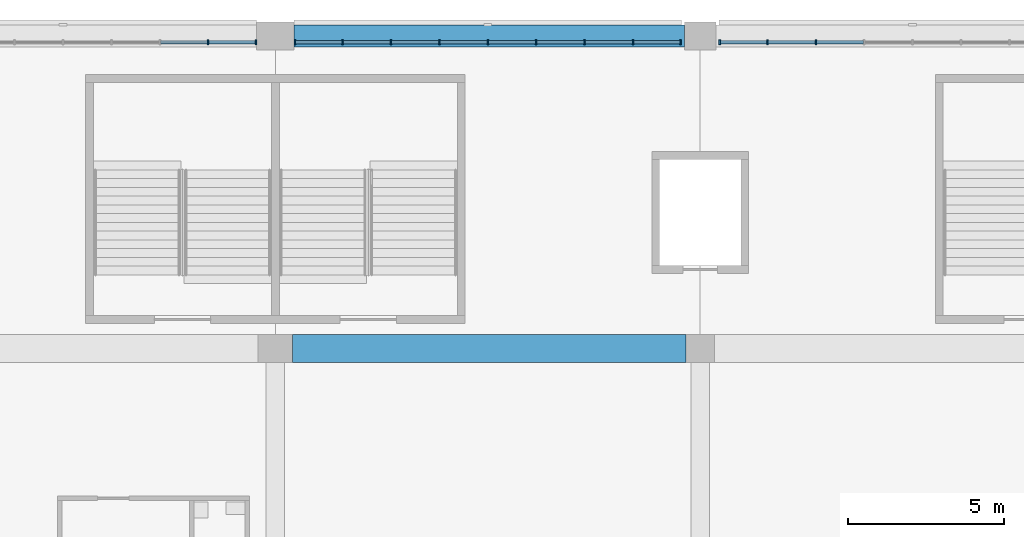
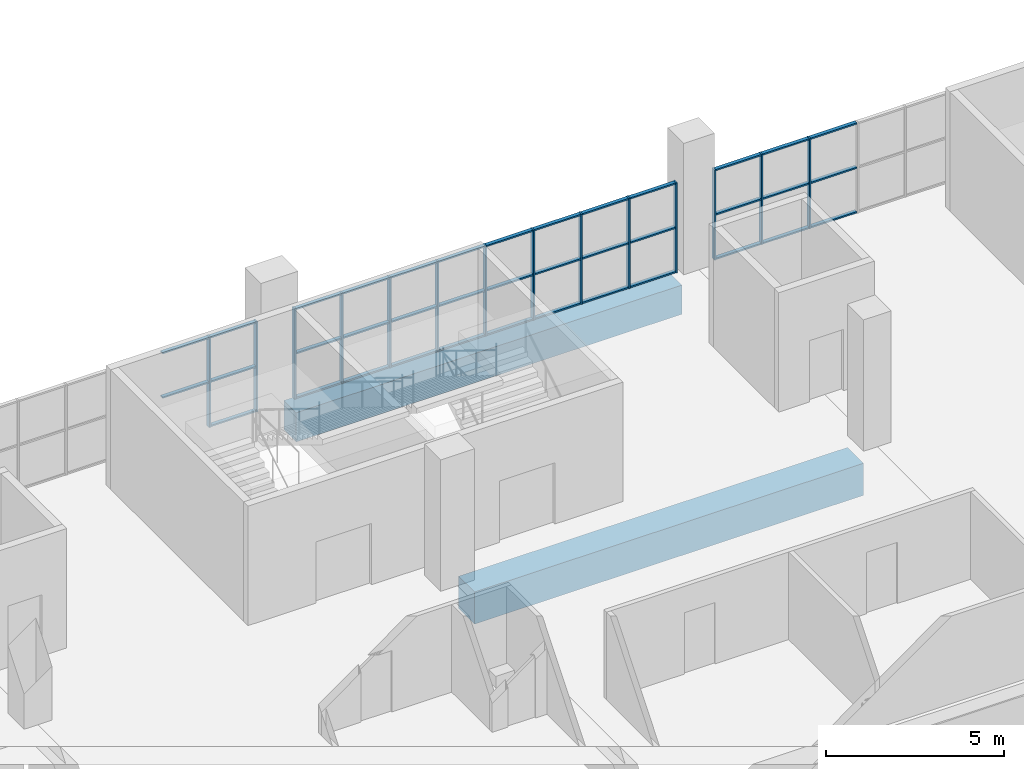
# One storey, part 44 of 199: 52 members, 2 beams, 3 elements without a shape of their own.
"""IFC4 building model written with IfcOpenShell, lengths in metres."""

from ifc_helpers import new_model, si_unit, direction, frame, origin, origin_2d, place, context, subcontext, project, spatial, rectangle, extrude, material, material_profile, profile_set, type_object, element, aggregate, save


model = new_model("IFC4")

# Units and contexts
model_context = context("Model", 3, precision=1e-05, world=origin(), true_north=direction((0.0, 1.0)))
body_context = subcontext(model_context, "Body", "Model", "MODEL_VIEW")
ifc_project = project(units=[si_unit("LENGTHUNIT", "METRE"), si_unit("AREAUNIT", "SQUARE_METRE"), si_unit("VOLUMEUNIT", "CUBIC_METRE"), si_unit("PLANEANGLEUNIT", "RADIAN"), si_unit("MASSUNIT", "GRAM", prefix="KILO")], contexts=[model_context])

# Site, building, storey
site_placement = place(None, origin())
site = spatial("IfcSite", under=ifc_project, at=site_placement, CompositionType="ELEMENT")
building_placement = place(site_placement, origin())
building = spatial("IfcBuilding", under=site, at=building_placement, Name="Ogive Plaza Stadium", CompositionType="ELEMENT")
storey_placement = place(building_placement, frame((0.0, 0.0, 9.0)))
storey = spatial("IfcBuildingStorey", under=building, at=storey_placement, Name="L02", CompositionType="ELEMENT", Elevation=9.0)

# Curtain wall, members
ifc_material_1 = material(Name="Bronze-anodised aluminium with laminated glass", Category="aluminium")
curtain_wall_type = type_object("IfcCurtainWallType", Name="Lancet curtain wall", PredefinedType="NOTDEFINED", material=ifc_material_1)
curtain_wall_1_placement = place(storey_placement, origin())
curtain_wall_1 = element("IfcCurtainWall", 1, at=curtain_wall_1_placement, inside=storey, type_object=curtain_wall_type, Name="CURTAIN WALL B33 L02", PredefinedType="NOTDEFINED")
ifc_material_2 = material(Name="Bronze-anodised aluminium", Category="aluminium")
ifc_material_profile_1 = material_profile(ifc_material_2, rectangle(XDim=0.14990234375, YDim=0.050048828125, at=origin_2d()), Name="AL 150x50")
ifc_profile_set_1 = profile_set([ifc_material_profile_1], Name="Bronze-anodised aluminium")
member_type_1 = type_object("IfcMemberType", Name="Curtain wall mullion 50x150", PredefinedType="MULLION", material=ifc_profile_set_1)
member_1_placement = place(storey_placement, frame((-8.949951171875, 102.300048828125, 0.0), z_axis=(0.0, 0.0, 1.0), x_axis=(0.0, 1.0, 0.0)))
member_1 = element("IfcMember", 2, at=member_1_placement, type_object=member_type_1, Name="CW-B33-L02 mullion 8", PredefinedType="MULLION", context=body_context, shape_type="SweptSolid", body=[
    extrude(rectangle(XDim=0.14990234375, YDim=0.050048828125, at=origin_2d()), origin(), (0.0, 0.0, 1.0), 3.090087890625),
])
member_2_placement = place(storey_placement, frame((-7.425048828125, 102.300048828125, 0.0), z_axis=(0.0, 0.0, 1.0), x_axis=(0.0, 1.0, 0.0)))
member_2 = element("IfcMember", 3, at=member_2_placement, type_object=member_type_1, Name="CW-B33-L02 mullion 9", PredefinedType="MULLION", context=body_context, shape_type="SweptSolid", body=[
    extrude(rectangle(XDim=0.14990234375, YDim=0.050048828125, at=origin_2d()), origin(), (0.0, 0.0, 1.0), 3.090087890625),
])

curtain_wall_2_placement = place(storey_placement, origin())
curtain_wall_2 = element("IfcCurtainWall", 4, at=curtain_wall_2_placement, inside=storey, type_object=curtain_wall_type, Name="CURTAIN WALL B34 L02", PredefinedType="NOTDEFINED")
member_3_placement = place(storey_placement, frame((-6.175048828125, 102.300048828125, 0.0), z_axis=(0.0, 0.0, 1.0), x_axis=(0.0, 1.0, 0.0)))
member_3 = element("IfcMember", 5, at=member_3_placement, type_object=member_type_1, Name="CW-B34-L02 mullion 1", PredefinedType="MULLION", context=body_context, shape_type="SweptSolid", body=[
    extrude(rectangle(XDim=0.14990234375, YDim=0.050048828125, at=origin_2d()), origin(), (0.0, 0.0, 1.0), 3.090087890625),
])
member_4_placement = place(storey_placement, frame((-4.64990234375, 102.300048828125, 0.0), z_axis=(0.0, 0.0, 1.0), x_axis=(0.0, 1.0, 0.0)))
member_4 = element("IfcMember", 6, at=member_4_placement, type_object=member_type_1, Name="CW-B34-L02 mullion 2", PredefinedType="MULLION", context=body_context, shape_type="SweptSolid", body=[
    extrude(rectangle(XDim=0.14990234375, YDim=0.050048828125, at=origin_2d()), origin(), (0.0, 0.0, 1.0), 3.090087890625),
])
member_5_placement = place(storey_placement, frame((-3.10009765625, 102.300048828125, 0.0), z_axis=(0.0, 0.0, 1.0), x_axis=(0.0, 1.0, 0.0)))
member_5 = element("IfcMember", 7, at=member_5_placement, type_object=member_type_1, Name="CW-B34-L02 mullion 3", PredefinedType="MULLION", context=body_context, shape_type="SweptSolid", body=[
    extrude(rectangle(XDim=0.14990234375, YDim=0.050048828125, at=origin_2d()), origin(), (0.0, 0.0, 1.0), 3.090087890625),
])
member_6_placement = place(storey_placement, frame((-1.550048828125, 102.300048828125, 0.0), z_axis=(0.0, 0.0, 1.0), x_axis=(0.0, 1.0, 0.0)))
member_6 = element("IfcMember", 8, at=member_6_placement, type_object=member_type_1, Name="CW-B34-L02 mullion 4", PredefinedType="MULLION", context=body_context, shape_type="SweptSolid", body=[
    extrude(rectangle(XDim=0.14990234375, YDim=0.050048828125, at=origin_2d()), origin(), (0.0, 0.0, 1.0), 3.090087890625),
])
member_7_placement = place(storey_placement, frame((0.0, 102.300048828125, 0.0), z_axis=(0.0, 0.0, 1.0), x_axis=(0.0, 1.0, 0.0)))
member_7 = element("IfcMember", 9, at=member_7_placement, type_object=member_type_1, Name="CW-B34-L02 mullion 5", PredefinedType="MULLION", context=body_context, shape_type="SweptSolid", body=[
    extrude(rectangle(XDim=0.14990234375, YDim=0.050048828125, at=origin_2d()), origin(), (0.0, 0.0, 1.0), 3.090087890625),
])
member_8_placement = place(storey_placement, frame((1.550048828125, 102.300048828125, 0.0), z_axis=(0.0, 0.0, 1.0), x_axis=(0.0, 1.0, 0.0)))
member_8 = element("IfcMember", 10, at=member_8_placement, type_object=member_type_1, Name="CW-B34-L02 mullion 6", PredefinedType="MULLION", context=body_context, shape_type="SweptSolid", body=[
    extrude(rectangle(XDim=0.14990234375, YDim=0.050048828125, at=origin_2d()), origin(), (0.0, 0.0, 1.0), 3.090087890625),
])
member_9_placement = place(storey_placement, frame((3.10009765625, 102.300048828125, 0.0), z_axis=(0.0, 0.0, 1.0), x_axis=(0.0, 1.0, 0.0)))
member_9 = element("IfcMember", 11, at=member_9_placement, type_object=member_type_1, Name="CW-B34-L02 mullion 7", PredefinedType="MULLION", context=body_context, shape_type="SweptSolid", body=[
    extrude(rectangle(XDim=0.14990234375, YDim=0.050048828125, at=origin_2d()), origin(), (0.0, 0.0, 1.0), 3.090087890625),
])
member_10_placement = place(storey_placement, frame((4.64990234375, 102.300048828125, 0.0), z_axis=(0.0, 0.0, 1.0), x_axis=(0.0, 1.0, 0.0)))
member_10 = element("IfcMember", 12, at=member_10_placement, type_object=member_type_1, Name="CW-B34-L02 mullion 8", PredefinedType="MULLION", context=body_context, shape_type="SweptSolid", body=[
    extrude(rectangle(XDim=0.14990234375, YDim=0.050048828125, at=origin_2d()), origin(), (0.0, 0.0, 1.0), 3.090087890625),
])
member_11_placement = place(storey_placement, frame((6.175048828125, 102.300048828125, 0.0), z_axis=(0.0, 0.0, 1.0), x_axis=(0.0, 1.0, 0.0)))
member_11 = element("IfcMember", 13, at=member_11_placement, type_object=member_type_1, Name="CW-B34-L02 mullion 9", PredefinedType="MULLION", context=body_context, shape_type="SweptSolid", body=[
    extrude(rectangle(XDim=0.14990234375, YDim=0.050048828125, at=origin_2d()), origin(), (0.0, 0.0, 1.0), 3.090087890625),
])

curtain_wall_3_placement = place(storey_placement, origin())
curtain_wall_3 = element("IfcCurtainWall", 14, at=curtain_wall_3_placement, inside=storey, type_object=curtain_wall_type, Name="CURTAIN WALL B35 L02", PredefinedType="NOTDEFINED")
member_12_placement = place(storey_placement, frame((7.425048828125, 102.300048828125, 0.0), z_axis=(0.0, 0.0, 1.0), x_axis=(0.0, 1.0, 0.0)))
member_12 = element("IfcMember", 15, at=member_12_placement, type_object=member_type_1, Name="CW-B35-L02 mullion 1", PredefinedType="MULLION", context=body_context, shape_type="SweptSolid", body=[
    extrude(rectangle(XDim=0.14990234375, YDim=0.050048828125, at=origin_2d()), origin(), (0.0, 0.0, 1.0), 3.090087890625),
])
member_13_placement = place(storey_placement, frame((8.949951171875, 102.300048828125, 0.0), z_axis=(0.0, 0.0, 1.0), x_axis=(0.0, 1.0, 0.0)))
member_13 = element("IfcMember", 16, at=member_13_placement, type_object=member_type_1, Name="CW-B35-L02 mullion 2", PredefinedType="MULLION", context=body_context, shape_type="SweptSolid", body=[
    extrude(rectangle(XDim=0.14990234375, YDim=0.050048828125, at=origin_2d()), origin(), (0.0, 0.0, 1.0), 3.090087890625),
])
member_14_placement = place(storey_placement, frame((10.5, 102.300048828125, 0.0), z_axis=(0.0, 0.0, 1.0), x_axis=(0.0, 1.0, 0.0)))
member_14 = element("IfcMember", 17, at=member_14_placement, type_object=member_type_1, Name="CW-B35-L02 mullion 3", PredefinedType="MULLION", context=body_context, shape_type="SweptSolid", body=[
    extrude(rectangle(XDim=0.14990234375, YDim=0.050048828125, at=origin_2d()), origin(), (0.0, 0.0, 1.0), 3.090087890625),
])

# Member
ifc_material_3 = material(Name="Bronze-anodised aluminium", Category="aluminium")
ifc_material_profile_2 = material_profile(ifc_material_3, rectangle(XDim=0.1201171875, YDim=0.050048828125, at=origin_2d()), Name="AL 120x50")
ifc_profile_set_2 = profile_set([ifc_material_profile_2], Name="Bronze-anodised aluminium")
member_type_2 = type_object("IfcMemberType", Name="Curtain wall transom 50x120", PredefinedType="USERDEFINED", material=ifc_profile_set_2)
member_15_placement = place(storey_placement, frame((-10.47509765625, 102.300048828125, 1.544921875), z_axis=(1.0, 0.0, 0.0), x_axis=(0.0, 1.0, 0.0)))
member_15 = element("IfcMember", 18, at=member_15_placement, type_object=member_type_2, Name="CW-B33-L02 transom 7.2", ObjectType="TRANSOM", PredefinedType="USERDEFINED", context=body_context, shape_type="SweptSolid", body=[
    extrude(rectangle(XDim=0.1201171875, YDim=0.050048828125, at=origin_2d()), origin(), (0.0, 0.0, 1.0), 1.5),
])

member_16_placement = place(storey_placement, frame((-10.47509765625, 102.300048828125, 3.06494140625), z_axis=(1.0, 0.0, 0.0), x_axis=(0.0, 1.0, 0.0)))
member_16 = element("IfcMember", 19, at=member_16_placement, type_object=member_type_2, Name="CW-B33-L02 transom 7.3", ObjectType="TRANSOM", PredefinedType="USERDEFINED", context=body_context, shape_type="SweptSolid", body=[
    extrude(rectangle(XDim=0.1201171875, YDim=0.050048828125, at=origin_2d()), origin(), (0.0, 0.0, 1.0), 1.5),
])

member_17_placement = place(storey_placement, frame((-8.925048828125, 102.300048828125, 0.02490234375), z_axis=(1.0, 0.0, 0.0), x_axis=(0.0, 1.0, 0.0)))
member_17 = element("IfcMember", 20, at=member_17_placement, type_object=member_type_2, Name="CW-B33-L02 transom 8.1", ObjectType="TRANSOM", PredefinedType="USERDEFINED", context=body_context, shape_type="SweptSolid", body=[
    extrude(rectangle(XDim=0.1201171875, YDim=0.050048828125, at=origin_2d()), origin(), (0.0, 0.0, 1.0), 1.47509765625),
])

member_18_placement = place(storey_placement, frame((-8.925048828125, 102.300048828125, 1.544921875), z_axis=(1.0, 0.0, 0.0), x_axis=(0.0, 1.0, 0.0)))
member_18 = element("IfcMember", 21, at=member_18_placement, type_object=member_type_2, Name="CW-B33-L02 transom 8.2", ObjectType="TRANSOM", PredefinedType="USERDEFINED", context=body_context, shape_type="SweptSolid", body=[
    extrude(rectangle(XDim=0.1201171875, YDim=0.050048828125, at=origin_2d()), origin(), (0.0, 0.0, 1.0), 1.47509765625),
])

member_19_placement = place(storey_placement, frame((-8.925048828125, 102.300048828125, 3.06494140625), z_axis=(1.0, 0.0, 0.0), x_axis=(0.0, 1.0, 0.0)))
member_19 = element("IfcMember", 22, at=member_19_placement, type_object=member_type_2, Name="CW-B33-L02 transom 8.3", ObjectType="TRANSOM", PredefinedType="USERDEFINED", context=body_context, shape_type="SweptSolid", body=[
    extrude(rectangle(XDim=0.1201171875, YDim=0.050048828125, at=origin_2d()), origin(), (0.0, 0.0, 1.0), 1.47509765625),
])

aggregate(curtain_wall_1, [member_1, member_2, member_15, member_16, member_17, member_18, member_19])

member_20_placement = place(storey_placement, frame((-6.14990234375, 102.300048828125, 0.02490234375), z_axis=(1.0, 0.0, 0.0), x_axis=(0.0, 1.0, 0.0)))
member_20 = element("IfcMember", 23, at=member_20_placement, type_object=member_type_2, Name="CW-B34-L02 transom 1.1", ObjectType="TRANSOM", PredefinedType="USERDEFINED", context=body_context, shape_type="SweptSolid", body=[
    extrude(rectangle(XDim=0.1201171875, YDim=0.050048828125, at=origin_2d()), origin(), (0.0, 0.0, 1.0), 1.474853515625),
])

member_21_placement = place(storey_placement, frame((-6.14990234375, 102.300048828125, 1.544921875), z_axis=(1.0, 0.0, 0.0), x_axis=(0.0, 1.0, 0.0)))
member_21 = element("IfcMember", 24, at=member_21_placement, type_object=member_type_2, Name="CW-B34-L02 transom 1.2", ObjectType="TRANSOM", PredefinedType="USERDEFINED", context=body_context, shape_type="SweptSolid", body=[
    extrude(rectangle(XDim=0.1201171875, YDim=0.050048828125, at=origin_2d()), origin(), (0.0, 0.0, 1.0), 1.474853515625),
])

member_22_placement = place(storey_placement, frame((-6.14990234375, 102.300048828125, 3.06494140625), z_axis=(1.0, 0.0, 0.0), x_axis=(0.0, 1.0, 0.0)))
member_22 = element("IfcMember", 25, at=member_22_placement, type_object=member_type_2, Name="CW-B34-L02 transom 1.3", ObjectType="TRANSOM", PredefinedType="USERDEFINED", context=body_context, shape_type="SweptSolid", body=[
    extrude(rectangle(XDim=0.1201171875, YDim=0.050048828125, at=origin_2d()), origin(), (0.0, 0.0, 1.0), 1.474853515625),
])

member_23_placement = place(storey_placement, frame((-4.625, 102.300048828125, 0.02490234375), z_axis=(1.0, 0.0, 0.0), x_axis=(0.0, 1.0, 0.0)))
member_23 = element("IfcMember", 26, at=member_23_placement, type_object=member_type_2, Name="CW-B34-L02 transom 2.1", ObjectType="TRANSOM", PredefinedType="USERDEFINED", context=body_context, shape_type="SweptSolid", body=[
    extrude(rectangle(XDim=0.1201171875, YDim=0.050048828125, at=origin_2d()), origin(), (0.0, 0.0, 1.0), 1.5),
])

member_24_placement = place(storey_placement, frame((-4.625, 102.300048828125, 1.544921875), z_axis=(1.0, 0.0, 0.0), x_axis=(0.0, 1.0, 0.0)))
member_24 = element("IfcMember", 27, at=member_24_placement, type_object=member_type_2, Name="CW-B34-L02 transom 2.2", ObjectType="TRANSOM", PredefinedType="USERDEFINED", context=body_context, shape_type="SweptSolid", body=[
    extrude(rectangle(XDim=0.1201171875, YDim=0.050048828125, at=origin_2d()), origin(), (0.0, 0.0, 1.0), 1.5),
])

member_25_placement = place(storey_placement, frame((-4.625, 102.300048828125, 3.06494140625), z_axis=(1.0, 0.0, 0.0), x_axis=(0.0, 1.0, 0.0)))
member_25 = element("IfcMember", 28, at=member_25_placement, type_object=member_type_2, Name="CW-B34-L02 transom 2.3", ObjectType="TRANSOM", PredefinedType="USERDEFINED", context=body_context, shape_type="SweptSolid", body=[
    extrude(rectangle(XDim=0.1201171875, YDim=0.050048828125, at=origin_2d()), origin(), (0.0, 0.0, 1.0), 1.5),
])

member_26_placement = place(storey_placement, frame((-3.074951171875, 102.300048828125, 0.02490234375), z_axis=(1.0, 0.0, 0.0), x_axis=(0.0, 1.0, 0.0)))
member_26 = element("IfcMember", 29, at=member_26_placement, type_object=member_type_2, Name="CW-B34-L02 transom 3.1", ObjectType="TRANSOM", PredefinedType="USERDEFINED", context=body_context, shape_type="SweptSolid", body=[
    extrude(rectangle(XDim=0.1201171875, YDim=0.050048828125, at=origin_2d()), origin(), (0.0, 0.0, 1.0), 1.5),
])

member_27_placement = place(storey_placement, frame((-3.074951171875, 102.300048828125, 1.544921875), z_axis=(1.0, 0.0, 0.0), x_axis=(0.0, 1.0, 0.0)))
member_27 = element("IfcMember", 30, at=member_27_placement, type_object=member_type_2, Name="CW-B34-L02 transom 3.2", ObjectType="TRANSOM", PredefinedType="USERDEFINED", context=body_context, shape_type="SweptSolid", body=[
    extrude(rectangle(XDim=0.1201171875, YDim=0.050048828125, at=origin_2d()), origin(), (0.0, 0.0, 1.0), 1.5),
])

member_28_placement = place(storey_placement, frame((-3.074951171875, 102.300048828125, 3.06494140625), z_axis=(1.0, 0.0, 0.0), x_axis=(0.0, 1.0, 0.0)))
member_28 = element("IfcMember", 31, at=member_28_placement, type_object=member_type_2, Name="CW-B34-L02 transom 3.3", ObjectType="TRANSOM", PredefinedType="USERDEFINED", context=body_context, shape_type="SweptSolid", body=[
    extrude(rectangle(XDim=0.1201171875, YDim=0.050048828125, at=origin_2d()), origin(), (0.0, 0.0, 1.0), 1.5),
])

member_29_placement = place(storey_placement, frame((-1.52490234375, 102.300048828125, 0.02490234375), z_axis=(1.0, 0.0, 0.0), x_axis=(0.0, 1.0, 0.0)))
member_29 = element("IfcMember", 32, at=member_29_placement, type_object=member_type_2, Name="CW-B34-L02 transom 4.1", ObjectType="TRANSOM", PredefinedType="USERDEFINED", context=body_context, shape_type="SweptSolid", body=[
    extrude(rectangle(XDim=0.1201171875, YDim=0.050048828125, at=origin_2d()), origin(), (0.0, 0.0, 1.0), 1.5),
])

member_30_placement = place(storey_placement, frame((-1.52490234375, 102.300048828125, 1.544921875), z_axis=(1.0, 0.0, 0.0), x_axis=(0.0, 1.0, 0.0)))
member_30 = element("IfcMember", 33, at=member_30_placement, type_object=member_type_2, Name="CW-B34-L02 transom 4.2", ObjectType="TRANSOM", PredefinedType="USERDEFINED", context=body_context, shape_type="SweptSolid", body=[
    extrude(rectangle(XDim=0.1201171875, YDim=0.050048828125, at=origin_2d()), origin(), (0.0, 0.0, 1.0), 1.5),
])

member_31_placement = place(storey_placement, frame((-1.52490234375, 102.300048828125, 3.06494140625), z_axis=(1.0, 0.0, 0.0), x_axis=(0.0, 1.0, 0.0)))
member_31 = element("IfcMember", 34, at=member_31_placement, type_object=member_type_2, Name="CW-B34-L02 transom 4.3", ObjectType="TRANSOM", PredefinedType="USERDEFINED", context=body_context, shape_type="SweptSolid", body=[
    extrude(rectangle(XDim=0.1201171875, YDim=0.050048828125, at=origin_2d()), origin(), (0.0, 0.0, 1.0), 1.5),
])

member_32_placement = place(storey_placement, frame((0.02490234375, 102.300048828125, 0.02490234375), z_axis=(1.0, 0.0, 0.0), x_axis=(0.0, 1.0, 0.0)))
member_32 = element("IfcMember", 35, at=member_32_placement, type_object=member_type_2, Name="CW-B34-L02 transom 5.1", ObjectType="TRANSOM", PredefinedType="USERDEFINED", context=body_context, shape_type="SweptSolid", body=[
    extrude(rectangle(XDim=0.1201171875, YDim=0.050048828125, at=origin_2d()), origin(), (0.0, 0.0, 1.0), 1.5),
])

member_33_placement = place(storey_placement, frame((0.02490234375, 102.300048828125, 1.544921875), z_axis=(1.0, 0.0, 0.0), x_axis=(0.0, 1.0, 0.0)))
member_33 = element("IfcMember", 36, at=member_33_placement, type_object=member_type_2, Name="CW-B34-L02 transom 5.2", ObjectType="TRANSOM", PredefinedType="USERDEFINED", context=body_context, shape_type="SweptSolid", body=[
    extrude(rectangle(XDim=0.1201171875, YDim=0.050048828125, at=origin_2d()), origin(), (0.0, 0.0, 1.0), 1.5),
])

member_34_placement = place(storey_placement, frame((0.02490234375, 102.300048828125, 3.06494140625), z_axis=(1.0, 0.0, 0.0), x_axis=(0.0, 1.0, 0.0)))
member_34 = element("IfcMember", 37, at=member_34_placement, type_object=member_type_2, Name="CW-B34-L02 transom 5.3", ObjectType="TRANSOM", PredefinedType="USERDEFINED", context=body_context, shape_type="SweptSolid", body=[
    extrude(rectangle(XDim=0.1201171875, YDim=0.050048828125, at=origin_2d()), origin(), (0.0, 0.0, 1.0), 1.5),
])

member_35_placement = place(storey_placement, frame((1.574951171875, 102.300048828125, 0.02490234375), z_axis=(1.0, 0.0, 0.0), x_axis=(0.0, 1.0, 0.0)))
member_35 = element("IfcMember", 38, at=member_35_placement, type_object=member_type_2, Name="CW-B34-L02 transom 6.1", ObjectType="TRANSOM", PredefinedType="USERDEFINED", context=body_context, shape_type="SweptSolid", body=[
    extrude(rectangle(XDim=0.1201171875, YDim=0.050048828125, at=origin_2d()), origin(), (0.0, 0.0, 1.0), 1.5),
])

member_36_placement = place(storey_placement, frame((1.574951171875, 102.300048828125, 1.544921875), z_axis=(1.0, 0.0, 0.0), x_axis=(0.0, 1.0, 0.0)))
member_36 = element("IfcMember", 39, at=member_36_placement, type_object=member_type_2, Name="CW-B34-L02 transom 6.2", ObjectType="TRANSOM", PredefinedType="USERDEFINED", context=body_context, shape_type="SweptSolid", body=[
    extrude(rectangle(XDim=0.1201171875, YDim=0.050048828125, at=origin_2d()), origin(), (0.0, 0.0, 1.0), 1.5),
])

member_37_placement = place(storey_placement, frame((1.574951171875, 102.300048828125, 3.06494140625), z_axis=(1.0, 0.0, 0.0), x_axis=(0.0, 1.0, 0.0)))
member_37 = element("IfcMember", 40, at=member_37_placement, type_object=member_type_2, Name="CW-B34-L02 transom 6.3", ObjectType="TRANSOM", PredefinedType="USERDEFINED", context=body_context, shape_type="SweptSolid", body=[
    extrude(rectangle(XDim=0.1201171875, YDim=0.050048828125, at=origin_2d()), origin(), (0.0, 0.0, 1.0), 1.5),
])

member_38_placement = place(storey_placement, frame((3.125, 102.300048828125, 0.02490234375), z_axis=(1.0, 0.0, 0.0), x_axis=(0.0, 1.0, 0.0)))
member_38 = element("IfcMember", 41, at=member_38_placement, type_object=member_type_2, Name="CW-B34-L02 transom 7.1", ObjectType="TRANSOM", PredefinedType="USERDEFINED", context=body_context, shape_type="SweptSolid", body=[
    extrude(rectangle(XDim=0.1201171875, YDim=0.050048828125, at=origin_2d()), origin(), (0.0, 0.0, 1.0), 1.5),
])

member_39_placement = place(storey_placement, frame((3.125, 102.300048828125, 1.544921875), z_axis=(1.0, 0.0, 0.0), x_axis=(0.0, 1.0, 0.0)))
member_39 = element("IfcMember", 42, at=member_39_placement, type_object=member_type_2, Name="CW-B34-L02 transom 7.2", ObjectType="TRANSOM", PredefinedType="USERDEFINED", context=body_context, shape_type="SweptSolid", body=[
    extrude(rectangle(XDim=0.1201171875, YDim=0.050048828125, at=origin_2d()), origin(), (0.0, 0.0, 1.0), 1.5),
])

member_40_placement = place(storey_placement, frame((3.125, 102.300048828125, 3.06494140625), z_axis=(1.0, 0.0, 0.0), x_axis=(0.0, 1.0, 0.0)))
member_40 = element("IfcMember", 43, at=member_40_placement, type_object=member_type_2, Name="CW-B34-L02 transom 7.3", ObjectType="TRANSOM", PredefinedType="USERDEFINED", context=body_context, shape_type="SweptSolid", body=[
    extrude(rectangle(XDim=0.1201171875, YDim=0.050048828125, at=origin_2d()), origin(), (0.0, 0.0, 1.0), 1.5),
])

member_41_placement = place(storey_placement, frame((4.675048828125, 102.300048828125, 0.02490234375), z_axis=(1.0, 0.0, 0.0), x_axis=(0.0, 1.0, 0.0)))
member_41 = element("IfcMember", 44, at=member_41_placement, type_object=member_type_2, Name="CW-B34-L02 transom 8.1", ObjectType="TRANSOM", PredefinedType="USERDEFINED", context=body_context, shape_type="SweptSolid", body=[
    extrude(rectangle(XDim=0.1201171875, YDim=0.050048828125, at=origin_2d()), origin(), (0.0, 0.0, 1.0), 1.474853515625),
])

member_42_placement = place(storey_placement, frame((4.675048828125, 102.300048828125, 1.544921875), z_axis=(1.0, 0.0, 0.0), x_axis=(0.0, 1.0, 0.0)))
member_42 = element("IfcMember", 45, at=member_42_placement, type_object=member_type_2, Name="CW-B34-L02 transom 8.2", ObjectType="TRANSOM", PredefinedType="USERDEFINED", context=body_context, shape_type="SweptSolid", body=[
    extrude(rectangle(XDim=0.1201171875, YDim=0.050048828125, at=origin_2d()), origin(), (0.0, 0.0, 1.0), 1.474853515625),
])

member_43_placement = place(storey_placement, frame((4.675048828125, 102.300048828125, 3.06494140625), z_axis=(1.0, 0.0, 0.0), x_axis=(0.0, 1.0, 0.0)))
member_43 = element("IfcMember", 46, at=member_43_placement, type_object=member_type_2, Name="CW-B34-L02 transom 8.3", ObjectType="TRANSOM", PredefinedType="USERDEFINED", context=body_context, shape_type="SweptSolid", body=[
    extrude(rectangle(XDim=0.1201171875, YDim=0.050048828125, at=origin_2d()), origin(), (0.0, 0.0, 1.0), 1.474853515625),
])

aggregate(curtain_wall_2, [member_3, member_4, member_5, member_6, member_7, member_8, member_9, member_10, member_11, member_20, member_21, member_22, member_23, member_24, member_25, member_26, member_27, member_28, member_29, member_30, member_31, member_32, member_33, member_34, member_35, member_36, member_37, member_38, member_39, member_40, member_41, member_42, member_43])

member_44_placement = place(storey_placement, frame((7.449951171875, 102.300048828125, 0.02490234375), z_axis=(1.0, 0.0, 0.0), x_axis=(0.0, 1.0, 0.0)))
member_44 = element("IfcMember", 47, at=member_44_placement, type_object=member_type_2, Name="CW-B35-L02 transom 1.1", ObjectType="TRANSOM", PredefinedType="USERDEFINED", context=body_context, shape_type="SweptSolid", body=[
    extrude(rectangle(XDim=0.1201171875, YDim=0.050048828125, at=origin_2d()), origin(), (0.0, 0.0, 1.0), 1.47509765625),
])

member_45_placement = place(storey_placement, frame((7.449951171875, 102.300048828125, 1.544921875), z_axis=(1.0, 0.0, 0.0), x_axis=(0.0, 1.0, 0.0)))
member_45 = element("IfcMember", 48, at=member_45_placement, type_object=member_type_2, Name="CW-B35-L02 transom 1.2", ObjectType="TRANSOM", PredefinedType="USERDEFINED", context=body_context, shape_type="SweptSolid", body=[
    extrude(rectangle(XDim=0.1201171875, YDim=0.050048828125, at=origin_2d()), origin(), (0.0, 0.0, 1.0), 1.47509765625),
])

member_46_placement = place(storey_placement, frame((7.449951171875, 102.300048828125, 3.06494140625), z_axis=(1.0, 0.0, 0.0), x_axis=(0.0, 1.0, 0.0)))
member_46 = element("IfcMember", 49, at=member_46_placement, type_object=member_type_2, Name="CW-B35-L02 transom 1.3", ObjectType="TRANSOM", PredefinedType="USERDEFINED", context=body_context, shape_type="SweptSolid", body=[
    extrude(rectangle(XDim=0.1201171875, YDim=0.050048828125, at=origin_2d()), origin(), (0.0, 0.0, 1.0), 1.47509765625),
])

member_47_placement = place(storey_placement, frame((8.97509765625, 102.300048828125, 0.02490234375), z_axis=(1.0, 0.0, 0.0), x_axis=(0.0, 1.0, 0.0)))
member_47 = element("IfcMember", 50, at=member_47_placement, type_object=member_type_2, Name="CW-B35-L02 transom 2.1", ObjectType="TRANSOM", PredefinedType="USERDEFINED", context=body_context, shape_type="SweptSolid", body=[
    extrude(rectangle(XDim=0.1201171875, YDim=0.050048828125, at=origin_2d()), origin(), (0.0, 0.0, 1.0), 1.5),
])

member_48_placement = place(storey_placement, frame((8.97509765625, 102.300048828125, 1.544921875), z_axis=(1.0, 0.0, 0.0), x_axis=(0.0, 1.0, 0.0)))
member_48 = element("IfcMember", 51, at=member_48_placement, type_object=member_type_2, Name="CW-B35-L02 transom 2.2", ObjectType="TRANSOM", PredefinedType="USERDEFINED", context=body_context, shape_type="SweptSolid", body=[
    extrude(rectangle(XDim=0.1201171875, YDim=0.050048828125, at=origin_2d()), origin(), (0.0, 0.0, 1.0), 1.5),
])

member_49_placement = place(storey_placement, frame((8.97509765625, 102.300048828125, 3.06494140625), z_axis=(1.0, 0.0, 0.0), x_axis=(0.0, 1.0, 0.0)))
member_49 = element("IfcMember", 52, at=member_49_placement, type_object=member_type_2, Name="CW-B35-L02 transom 2.3", ObjectType="TRANSOM", PredefinedType="USERDEFINED", context=body_context, shape_type="SweptSolid", body=[
    extrude(rectangle(XDim=0.1201171875, YDim=0.050048828125, at=origin_2d()), origin(), (0.0, 0.0, 1.0), 1.5),
])

member_50_placement = place(storey_placement, frame((10.52490234375, 102.300048828125, 0.02490234375), z_axis=(1.0, 0.0, 0.0), x_axis=(0.0, 1.0, 0.0)))
member_50 = element("IfcMember", 53, at=member_50_placement, type_object=member_type_2, Name="CW-B35-L02 transom 3.1", ObjectType="TRANSOM", PredefinedType="USERDEFINED", context=body_context, shape_type="SweptSolid", body=[
    extrude(rectangle(XDim=0.1201171875, YDim=0.050048828125, at=origin_2d()), origin(), (0.0, 0.0, 1.0), 1.5),
])

member_51_placement = place(storey_placement, frame((10.52490234375, 102.300048828125, 1.544921875), z_axis=(1.0, 0.0, 0.0), x_axis=(0.0, 1.0, 0.0)))
member_51 = element("IfcMember", 54, at=member_51_placement, type_object=member_type_2, Name="CW-B35-L02 transom 3.2", ObjectType="TRANSOM", PredefinedType="USERDEFINED", context=body_context, shape_type="SweptSolid", body=[
    extrude(rectangle(XDim=0.1201171875, YDim=0.050048828125, at=origin_2d()), origin(), (0.0, 0.0, 1.0), 1.5),
])

member_52_placement = place(storey_placement, frame((10.52490234375, 102.300048828125, 3.06494140625), z_axis=(1.0, 0.0, 0.0), x_axis=(0.0, 1.0, 0.0)))
member_52 = element("IfcMember", 55, at=member_52_placement, type_object=member_type_2, Name="CW-B35-L02 transom 3.3", ObjectType="TRANSOM", PredefinedType="USERDEFINED", context=body_context, shape_type="SweptSolid", body=[
    extrude(rectangle(XDim=0.1201171875, YDim=0.050048828125, at=origin_2d()), origin(), (0.0, 0.0, 1.0), 1.5),
])

aggregate(curtain_wall_3, [member_12, member_13, member_14, member_44, member_45, member_46, member_47, member_48, member_49, member_50, member_51, member_52])

# Beams
ifc_material_4 = material(Name="Concrete C40/50", Category="concrete")
ifc_material_profile_3 = material_profile(ifc_material_4, rectangle(XDim=0.89990234375, YDim=1.10009765625, at=origin_2d()), Name="RC 900x1100")
ifc_profile_set_3 = profile_set([ifc_material_profile_3], Name="Concrete C40/50")
beam_type_1 = type_object("IfcBeamType", Name="RC ring beam 900x1100", PredefinedType="BEAM", material=ifc_profile_set_3)
beam_1_placement = place(storey_placement, frame((-6.25, 92.5, -0.9599609375), z_axis=(1.0, 0.0, 0.0), x_axis=(0.0, 1.0, 0.0)))
element("IfcBeam", 56, at=beam_1_placement, inside=storey, type_object=beam_type_1, Name="Ring beam F4 L02 B34", PredefinedType="BEAM", context=body_context, shape_type="SweptSolid", body=[
    extrude(rectangle(XDim=0.89990234375, YDim=1.10009765625, at=origin_2d()), origin(), (0.0, 0.0, 1.0), 12.60009765625),
])
ifc_material_5 = material(Name="Concrete C40/50", Category="concrete")
ifc_material_profile_4 = material_profile(ifc_material_5, rectangle(XDim=0.699951171875, YDim=1.0, at=origin_2d()), Name="RC 700x1000")
ifc_profile_set_4 = profile_set([ifc_material_profile_4], Name="Concrete C40/50")
beam_type_2 = type_object("IfcBeamType", Name="RC spandrel beam 700x1000", PredefinedType="SPANDREL", material=ifc_profile_set_4)
beam_2_placement = place(storey_placement, frame((-6.199951171875, 102.5, -0.909912109375), z_axis=(1.0, 0.0, 0.0), x_axis=(0.0, 1.0, 0.0)))
element("IfcBeam", 57, at=beam_2_placement, inside=storey, type_object=beam_type_2, Name="Ring beam F5 L02 B34", PredefinedType="SPANDREL", context=body_context, shape_type="SweptSolid", body=[
    extrude(rectangle(XDim=0.699951171875, YDim=1.0, at=origin_2d()), origin(), (0.0, 0.0, 1.0), 12.5),
])

save(model, "model.ifc")
